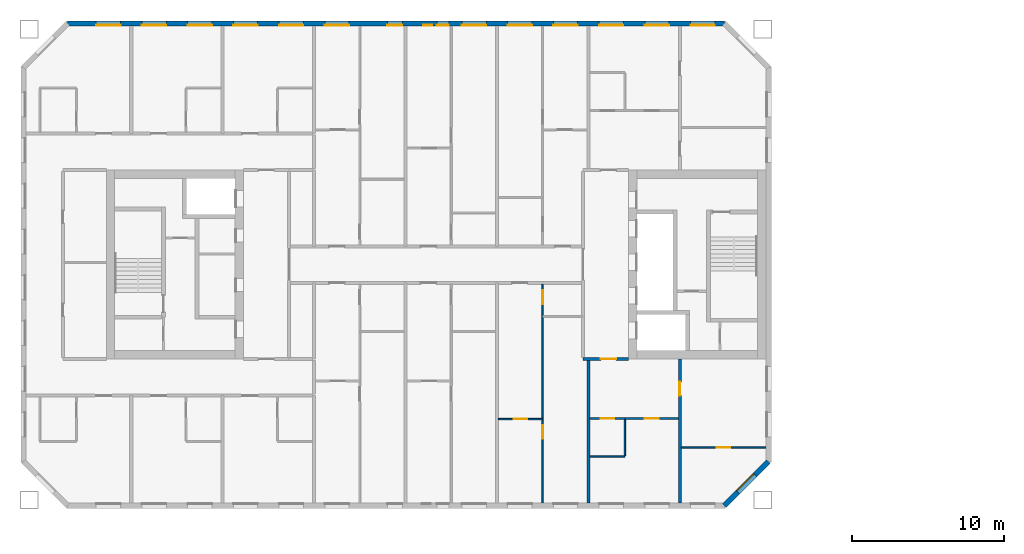
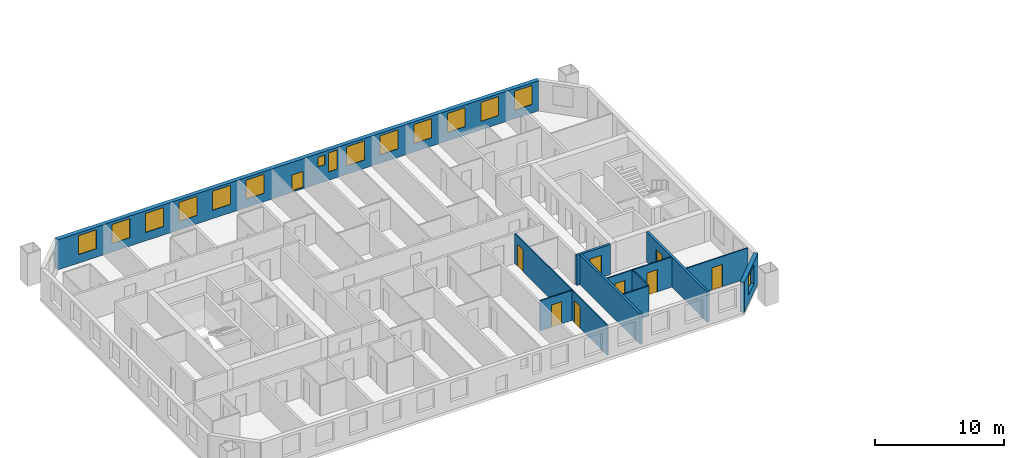
# One storey, part 6 of 16: 16 windows, 11 walls, 8 doors, 24 openings.
"""IFC4 building model written with IfcOpenShell, lengths in metres."""

from ifc_helpers import new_model, si_unit, direction, frame, frame_2d, origin, place, context, subcontext, project, spatial, rectangle, extrude, material, layer, layer_set, type_object, element, fill, save


model = new_model("IFC4")

# Units and contexts
model_context = context("Model", 3, precision=1e-05, world=origin(), true_north=direction((0.0, 1.0)))
body_context = subcontext(model_context, "Body", "Model", "MODEL_VIEW")
ifc_project = project(units=[si_unit("LENGTHUNIT", "METRE"), si_unit("AREAUNIT", "SQUARE_METRE"), si_unit("VOLUMEUNIT", "CUBIC_METRE"), si_unit("PLANEANGLEUNIT", "RADIAN"), si_unit("MASSUNIT", "GRAM", prefix="KILO")], contexts=[model_context])

# Site, building, storey
site_placement = place(None, origin())
site = spatial("IfcSite", under=ifc_project, at=site_placement, CompositionType="ELEMENT")
building_placement = place(site_placement, origin())
building = spatial("IfcBuilding", under=site, at=building_placement, Name="Tuart Gate Housing", CompositionType="ELEMENT")
storey_placement = place(building_placement, frame((0.0, 0.0, 139.199951171875)))
storey = spatial("IfcBuildingStorey", under=building, at=storey_placement, Name="L39", CompositionType="ELEMENT", Elevation=139.199951171875)

# Wall, opening, window
ifc_material_1 = material(Name="Brick", Category="masonry")
ifc_layer_1 = layer(ifc_material_1, 0.360107421875)
ifc_layer_set_1 = layer_set([ifc_layer_1], Name="Brick pier and spandrel wall 360")
wall_type_1 = type_object("IfcWallType", Name="Brick pier and spandrel wall 360", PredefinedType="STANDARD", material=ifc_layer_set_1)
wall_1_placement = place(storey_placement, frame((72.92529296875, 54.179931640625, 0.0), z_axis=(0.0, 0.0, 1.0), x_axis=(0.707106781187, 0.707106781187, 0.0)))
wall_1 = element("IfcWall", 1, at=wall_1_placement, inside=storey, type_object=wall_type_1, Name="External wall A-SE L39", PredefinedType="STANDARD", context=body_context, shape_type="SweptSolid", body=[
    extrude(rectangle(XDim=4.09375, YDim=0.360107421875, at=frame_2d((2.046875, 0.0))), origin(), (0.0, 0.0, 1.0), 2.85009765625),
])
opening_1_placement = place(wall_1_placement, frame((1.2470703125, 0.0, 0.800048828125)))
opening_1 = element("IfcOpeningElement", 2, at=opening_1_placement, cuts=wall_1, Name="Opening W1", PredefinedType="OPENING", context=body_context, shape_type="SweptSolid", body=[
    extrude(rectangle(XDim=1.60009765625, YDim=1.800048828125, at=frame_2d((0.800048828125, 0.89990234375))), frame((0.0, 0.18994140625, 0.0), z_axis=(0.0, -1.0, 0.0), x_axis=(1.0, 0.0, 0.0)), (0.0, 0.0, 1.0), 0.380126953125),
])
ifc_material_2 = material(Name="Aluminium frame with clear glass", Category="aluminium")
window_type_1 = type_object("IfcWindowType", Name="Punched window 1600 x 1800", PartitioningType="SINGLE_PANEL", PredefinedType="WINDOW", material=ifc_material_2)
window_1_placement = place(opening_1_placement, origin())
window_1 = element("IfcWindow", 3, at=window_1_placement, inside=storey, type_object=window_type_1, Name="Window W1", OverallHeight=1.800048828125, OverallWidth=1.60009765625, PartitioningType="SINGLE_PANEL", PredefinedType="WINDOW", context=body_context, shape_type="SweptSolid", body=[
    extrude(rectangle(XDim=1.60009765625, YDim=1.800048828125, at=frame_2d((0.800048828125, 0.89990234375))), frame((0.0, 0.150146484375, 0.0), z_axis=(0.0, -1.0, 0.0), x_axis=(1.0, 0.0, 0.0)), (0.0, 0.0, 1.0), 0.06005859375),
])
fill(opening_1, window_1)

# Wall, openings, windows
wall_2_placement = place(storey_placement, frame((72.92529296875, 85.820068359375, 0.0), z_axis=(0.0, 0.0, 1.0), x_axis=(-1.0, 0.0, 0.0)))
wall_2 = element("IfcWall", 4, at=wall_2_placement, inside=storey, type_object=wall_type_1, Name="External wall A-N L39", PredefinedType="STANDARD", context=body_context, shape_type="SweptSolid", body=[
    extrude(rectangle(XDim=43.100830078125, YDim=0.360107421875, at=frame_2d((21.55029296875, 0.0))), origin(), (0.0, 0.0, 1.0), 2.85009765625),
])
opening_2_placement = place(wall_2_placement, frame((0.62548828125, 0.0, 0.800048828125)))
opening_2 = element("IfcOpeningElement", 5, at=opening_2_placement, cuts=wall_2, Name="Opening W1", PredefinedType="OPENING", context=body_context, shape_type="SweptSolid", body=[
    extrude(rectangle(XDim=1.60009765625, YDim=1.800048828125, at=frame_2d((0.800048828125, 0.89990234375))), frame((0.0, 0.18994140625, 0.0), z_axis=(0.0, -1.0, 0.0), x_axis=(1.0, 0.0, 0.0)), (0.0, 0.0, 1.0), 0.380126953125),
])
opening_3_placement = place(wall_2_placement, frame((3.62548828125, 0.0, 0.800048828125)))
opening_3 = element("IfcOpeningElement", 6, at=opening_3_placement, cuts=wall_2, Name="Opening W1", PredefinedType="OPENING", context=body_context, shape_type="SweptSolid", body=[
    extrude(rectangle(XDim=1.60009765625, YDim=1.800048828125, at=frame_2d((0.800048828125, 0.89990234375))), frame((0.0, 0.18994140625, 0.0), z_axis=(0.0, -1.0, 0.0), x_axis=(1.0, 0.0, 0.0)), (0.0, 0.0, 1.0), 0.380126953125),
])
opening_4_placement = place(wall_2_placement, frame((6.62548828125, 0.0, 0.800048828125)))
opening_4 = element("IfcOpeningElement", 7, at=opening_4_placement, cuts=wall_2, Name="Opening W1", PredefinedType="OPENING", context=body_context, shape_type="SweptSolid", body=[
    extrude(rectangle(XDim=1.60009765625, YDim=1.800048828125, at=frame_2d((0.800048828125, 0.89990234375))), frame((0.0, 0.18994140625, 0.0), z_axis=(0.0, -1.0, 0.0), x_axis=(1.0, 0.0, 0.0)), (0.0, 0.0, 1.0), 0.380126953125),
])
opening_5_placement = place(wall_2_placement, frame((9.62548828125, 0.0, 0.800048828125)))
opening_5 = element("IfcOpeningElement", 8, at=opening_5_placement, cuts=wall_2, Name="Opening W1", PredefinedType="OPENING", context=body_context, shape_type="SweptSolid", body=[
    extrude(rectangle(XDim=1.60009765625, YDim=1.800048828125, at=frame_2d((0.800048828125, 0.89990234375))), frame((0.0, 0.18994140625, 0.0), z_axis=(0.0, -1.0, 0.0), x_axis=(1.0, 0.0, 0.0)), (0.0, 0.0, 1.0), 0.380126953125),
])
opening_6_placement = place(wall_2_placement, frame((12.62548828125, 0.0, 0.800048828125)))
opening_6 = element("IfcOpeningElement", 9, at=opening_6_placement, cuts=wall_2, Name="Opening W1", PredefinedType="OPENING", context=body_context, shape_type="SweptSolid", body=[
    extrude(rectangle(XDim=1.60009765625, YDim=1.800048828125, at=frame_2d((0.800048828125, 0.89990234375))), frame((0.0, 0.18994140625, 0.0), z_axis=(0.0, -1.0, 0.0), x_axis=(1.0, 0.0, 0.0)), (0.0, 0.0, 1.0), 0.380126953125),
])
opening_7_placement = place(wall_2_placement, frame((15.62548828125, 0.0, 0.800048828125)))
opening_7 = element("IfcOpeningElement", 10, at=opening_7_placement, cuts=wall_2, Name="Opening W1", PredefinedType="OPENING", context=body_context, shape_type="SweptSolid", body=[
    extrude(rectangle(XDim=1.60009765625, YDim=1.800048828125, at=frame_2d((0.800048828125, 0.89990234375))), frame((0.0, 0.18994140625, 0.0), z_axis=(0.0, -1.0, 0.0), x_axis=(1.0, 0.0, 0.0)), (0.0, 0.0, 1.0), 0.380126953125),
])
opening_8_placement = place(wall_2_placement, frame((18.075439453125, 0.0, 0.800048828125)))
opening_8 = element("IfcOpeningElement", 11, at=opening_8_placement, cuts=wall_2, Name="Opening W1D", PredefinedType="OPENING", context=body_context, shape_type="SweptSolid", body=[
    extrude(rectangle(XDim=0.800048828125, YDim=1.800048828125, at=frame_2d((0.39990234375, 0.89990234375))), frame((0.0, 0.18994140625, 0.0), z_axis=(0.0, -1.0, 0.0), x_axis=(1.0, 0.0, 0.0)), (0.0, 0.0, 1.0), 0.380126953125),
])
opening_9_placement = place(wall_2_placement, frame((21.12548828125, 0.0, 0.14990234375)))
opening_9 = element("IfcOpeningElement", 12, at=opening_9_placement, cuts=wall_2, Name="Opening W1I", PredefinedType="OPENING", context=body_context, shape_type="SweptSolid", body=[
    extrude(rectangle(XDim=1.0, YDim=1.5, at=frame_2d((0.5, 0.75))), frame((0.0, 0.18994140625, 0.0), z_axis=(0.0, -1.0, 0.0), x_axis=(1.0, 0.0, 0.0)), (0.0, 0.0, 1.0), 0.380126953125),
])
opening_10_placement = place(wall_2_placement, frame((24.62548828125, 0.0, 0.800048828125)))
opening_10 = element("IfcOpeningElement", 13, at=opening_10_placement, cuts=wall_2, Name="Opening W1", PredefinedType="OPENING", context=body_context, shape_type="SweptSolid", body=[
    extrude(rectangle(XDim=1.60009765625, YDim=1.800048828125, at=frame_2d((0.800048828125, 0.89990234375))), frame((0.0, 0.18994140625, 0.0), z_axis=(0.0, -1.0, 0.0), x_axis=(1.0, 0.0, 0.0)), (0.0, 0.0, 1.0), 0.380126953125),
])
opening_11_placement = place(wall_2_placement, frame((27.62548828125, 0.0, 0.800048828125)))
opening_11 = element("IfcOpeningElement", 14, at=opening_11_placement, cuts=wall_2, Name="Opening W1", PredefinedType="OPENING", context=body_context, shape_type="SweptSolid", body=[
    extrude(rectangle(XDim=1.60009765625, YDim=1.800048828125, at=frame_2d((0.800048828125, 0.89990234375))), frame((0.0, 0.18994140625, 0.0), z_axis=(0.0, -1.0, 0.0), x_axis=(1.0, 0.0, 0.0)), (0.0, 0.0, 1.0), 0.380126953125),
])
opening_12_placement = place(wall_2_placement, frame((30.62548828125, 0.0, 0.800048828125)))
opening_12 = element("IfcOpeningElement", 15, at=opening_12_placement, cuts=wall_2, Name="Opening W1", PredefinedType="OPENING", context=body_context, shape_type="SweptSolid", body=[
    extrude(rectangle(XDim=1.60009765625, YDim=1.800048828125, at=frame_2d((0.800048828125, 0.89990234375))), frame((0.0, 0.18994140625, 0.0), z_axis=(0.0, -1.0, 0.0), x_axis=(1.0, 0.0, 0.0)), (0.0, 0.0, 1.0), 0.380126953125),
])
opening_13_placement = place(wall_2_placement, frame((33.62548828125, 0.0, 0.800048828125)))
opening_13 = element("IfcOpeningElement", 16, at=opening_13_placement, cuts=wall_2, Name="Opening W1", PredefinedType="OPENING", context=body_context, shape_type="SweptSolid", body=[
    extrude(rectangle(XDim=1.60009765625, YDim=1.800048828125, at=frame_2d((0.800048828125, 0.89990234375))), frame((0.0, 0.18994140625, 0.0), z_axis=(0.0, -1.0, 0.0), x_axis=(1.0, 0.0, 0.0)), (0.0, 0.0, 1.0), 0.380126953125),
])
opening_14_placement = place(wall_2_placement, frame((36.62548828125, 0.0, 0.800048828125)))
opening_14 = element("IfcOpeningElement", 17, at=opening_14_placement, cuts=wall_2, Name="Opening W1", PredefinedType="OPENING", context=body_context, shape_type="SweptSolid", body=[
    extrude(rectangle(XDim=1.60009765625, YDim=1.800048828125, at=frame_2d((0.800048828125, 0.89990234375))), frame((0.0, 0.18994140625, 0.0), z_axis=(0.0, -1.0, 0.0), x_axis=(1.0, 0.0, 0.0)), (0.0, 0.0, 1.0), 0.380126953125),
])
opening_15_placement = place(wall_2_placement, frame((39.62548828125, 0.0, 0.800048828125)))
opening_15 = element("IfcOpeningElement", 18, at=opening_15_placement, cuts=wall_2, Name="Opening W1", PredefinedType="OPENING", context=body_context, shape_type="SweptSolid", body=[
    extrude(rectangle(XDim=1.60009765625, YDim=1.800048828125, at=frame_2d((0.800048828125, 0.89990234375))), frame((0.0, 0.18994140625, 0.0), z_axis=(0.0, -1.0, 0.0), x_axis=(1.0, 0.0, 0.0)), (0.0, 0.0, 1.0), 0.380126953125),
])
opening_16_placement = place(wall_2_placement, frame((19.17529296875, 0.0, 1.60009765625)))
opening_16 = element("IfcOpeningElement", 19, at=opening_16_placement, cuts=wall_2, Name="Opening W1W", PredefinedType="OPENING", context=body_context, shape_type="SweptSolid", body=[
    extrude(rectangle(XDim=0.60009765625, YDim=0.89990234375, at=frame_2d((0.300048828125, 0.449951171875))), frame((0.0, 0.18994140625, 0.0), z_axis=(0.0, -1.0, 0.0), x_axis=(1.0, 0.0, 0.0)), (0.0, 0.0, 1.0), 0.380126953125),
])
ifc_material_3 = material(Name="Aluminium frame with clear glass", Category="aluminium")
window_type_2 = type_object("IfcWindowType", Name="Punched window 1000 x 1500", PartitioningType="SINGLE_PANEL", PredefinedType="WINDOW", material=ifc_material_3)
window_2_placement = place(opening_9_placement, origin())
window_2 = element("IfcWindow", 20, at=window_2_placement, inside=storey, type_object=window_type_2, Name="Window W1I", OverallHeight=1.5, OverallWidth=1.0, PartitioningType="SINGLE_PANEL", PredefinedType="WINDOW", context=body_context, shape_type="SweptSolid", body=[
    extrude(rectangle(XDim=1.0, YDim=1.5, at=frame_2d((0.5, 0.75))), frame((0.0, 0.150146484375, 0.0), z_axis=(0.0, -1.0, 0.0), x_axis=(1.0, 0.0, 0.0)), (0.0, 0.0, 1.0), 0.06005859375),
])
fill(opening_9, window_2)
window_3_placement = place(opening_2_placement, origin())
window_3 = element("IfcWindow", 21, at=window_3_placement, inside=storey, type_object=window_type_1, Name="Window W1", OverallHeight=1.800048828125, OverallWidth=1.60009765625, PartitioningType="SINGLE_PANEL", PredefinedType="WINDOW", context=body_context, shape_type="SweptSolid", body=[
    extrude(rectangle(XDim=1.60009765625, YDim=1.800048828125, at=frame_2d((0.800048828125, 0.89990234375))), frame((0.0, 0.150146484375, 0.0), z_axis=(0.0, -1.0, 0.0), x_axis=(1.0, 0.0, 0.0)), (0.0, 0.0, 1.0), 0.06005859375),
])
fill(opening_2, window_3)
window_4_placement = place(opening_3_placement, origin())
window_4 = element("IfcWindow", 22, at=window_4_placement, inside=storey, type_object=window_type_1, Name="Window W1", OverallHeight=1.800048828125, OverallWidth=1.60009765625, PartitioningType="SINGLE_PANEL", PredefinedType="WINDOW", context=body_context, shape_type="SweptSolid", body=[
    extrude(rectangle(XDim=1.60009765625, YDim=1.800048828125, at=frame_2d((0.800048828125, 0.89990234375))), frame((0.0, 0.150146484375, 0.0), z_axis=(0.0, -1.0, 0.0), x_axis=(1.0, 0.0, 0.0)), (0.0, 0.0, 1.0), 0.06005859375),
])
fill(opening_3, window_4)
window_5_placement = place(opening_4_placement, origin())
window_5 = element("IfcWindow", 23, at=window_5_placement, inside=storey, type_object=window_type_1, Name="Window W1", OverallHeight=1.800048828125, OverallWidth=1.60009765625, PartitioningType="SINGLE_PANEL", PredefinedType="WINDOW", context=body_context, shape_type="SweptSolid", body=[
    extrude(rectangle(XDim=1.60009765625, YDim=1.800048828125, at=frame_2d((0.800048828125, 0.89990234375))), frame((0.0, 0.150146484375, 0.0), z_axis=(0.0, -1.0, 0.0), x_axis=(1.0, 0.0, 0.0)), (0.0, 0.0, 1.0), 0.06005859375),
])
fill(opening_4, window_5)
window_6_placement = place(opening_5_placement, origin())
window_6 = element("IfcWindow", 24, at=window_6_placement, inside=storey, type_object=window_type_1, Name="Window W1", OverallHeight=1.800048828125, OverallWidth=1.60009765625, PartitioningType="SINGLE_PANEL", PredefinedType="WINDOW", context=body_context, shape_type="SweptSolid", body=[
    extrude(rectangle(XDim=1.60009765625, YDim=1.800048828125, at=frame_2d((0.800048828125, 0.89990234375))), frame((0.0, 0.150146484375, 0.0), z_axis=(0.0, -1.0, 0.0), x_axis=(1.0, 0.0, 0.0)), (0.0, 0.0, 1.0), 0.06005859375),
])
fill(opening_5, window_6)
window_7_placement = place(opening_6_placement, origin())
window_7 = element("IfcWindow", 25, at=window_7_placement, inside=storey, type_object=window_type_1, Name="Window W1", OverallHeight=1.800048828125, OverallWidth=1.60009765625, PartitioningType="SINGLE_PANEL", PredefinedType="WINDOW", context=body_context, shape_type="SweptSolid", body=[
    extrude(rectangle(XDim=1.60009765625, YDim=1.800048828125, at=frame_2d((0.800048828125, 0.89990234375))), frame((0.0, 0.150146484375, 0.0), z_axis=(0.0, -1.0, 0.0), x_axis=(1.0, 0.0, 0.0)), (0.0, 0.0, 1.0), 0.06005859375),
])
fill(opening_6, window_7)
window_8_placement = place(opening_7_placement, origin())
window_8 = element("IfcWindow", 26, at=window_8_placement, inside=storey, type_object=window_type_1, Name="Window W1", OverallHeight=1.800048828125, OverallWidth=1.60009765625, PartitioningType="SINGLE_PANEL", PredefinedType="WINDOW", context=body_context, shape_type="SweptSolid", body=[
    extrude(rectangle(XDim=1.60009765625, YDim=1.800048828125, at=frame_2d((0.800048828125, 0.89990234375))), frame((0.0, 0.150146484375, 0.0), z_axis=(0.0, -1.0, 0.0), x_axis=(1.0, 0.0, 0.0)), (0.0, 0.0, 1.0), 0.06005859375),
])
fill(opening_7, window_8)
window_9_placement = place(opening_10_placement, origin())
window_9 = element("IfcWindow", 27, at=window_9_placement, inside=storey, type_object=window_type_1, Name="Window W1", OverallHeight=1.800048828125, OverallWidth=1.60009765625, PartitioningType="SINGLE_PANEL", PredefinedType="WINDOW", context=body_context, shape_type="SweptSolid", body=[
    extrude(rectangle(XDim=1.60009765625, YDim=1.800048828125, at=frame_2d((0.800048828125, 0.89990234375))), frame((0.0, 0.150146484375, 0.0), z_axis=(0.0, -1.0, 0.0), x_axis=(1.0, 0.0, 0.0)), (0.0, 0.0, 1.0), 0.06005859375),
])
fill(opening_10, window_9)
window_10_placement = place(opening_11_placement, origin())
window_10 = element("IfcWindow", 28, at=window_10_placement, inside=storey, type_object=window_type_1, Name="Window W1", OverallHeight=1.800048828125, OverallWidth=1.60009765625, PartitioningType="SINGLE_PANEL", PredefinedType="WINDOW", context=body_context, shape_type="SweptSolid", body=[
    extrude(rectangle(XDim=1.60009765625, YDim=1.800048828125, at=frame_2d((0.800048828125, 0.89990234375))), frame((0.0, 0.150146484375, 0.0), z_axis=(0.0, -1.0, 0.0), x_axis=(1.0, 0.0, 0.0)), (0.0, 0.0, 1.0), 0.06005859375),
])
fill(opening_11, window_10)
window_11_placement = place(opening_12_placement, origin())
window_11 = element("IfcWindow", 29, at=window_11_placement, inside=storey, type_object=window_type_1, Name="Window W1", OverallHeight=1.800048828125, OverallWidth=1.60009765625, PartitioningType="SINGLE_PANEL", PredefinedType="WINDOW", context=body_context, shape_type="SweptSolid", body=[
    extrude(rectangle(XDim=1.60009765625, YDim=1.800048828125, at=frame_2d((0.800048828125, 0.89990234375))), frame((0.0, 0.150146484375, 0.0), z_axis=(0.0, -1.0, 0.0), x_axis=(1.0, 0.0, 0.0)), (0.0, 0.0, 1.0), 0.06005859375),
])
fill(opening_12, window_11)
window_12_placement = place(opening_13_placement, origin())
window_12 = element("IfcWindow", 30, at=window_12_placement, inside=storey, type_object=window_type_1, Name="Window W1", OverallHeight=1.800048828125, OverallWidth=1.60009765625, PartitioningType="SINGLE_PANEL", PredefinedType="WINDOW", context=body_context, shape_type="SweptSolid", body=[
    extrude(rectangle(XDim=1.60009765625, YDim=1.800048828125, at=frame_2d((0.800048828125, 0.89990234375))), frame((0.0, 0.150146484375, 0.0), z_axis=(0.0, -1.0, 0.0), x_axis=(1.0, 0.0, 0.0)), (0.0, 0.0, 1.0), 0.06005859375),
])
fill(opening_13, window_12)
window_13_placement = place(opening_14_placement, origin())
window_13 = element("IfcWindow", 31, at=window_13_placement, inside=storey, type_object=window_type_1, Name="Window W1", OverallHeight=1.800048828125, OverallWidth=1.60009765625, PartitioningType="SINGLE_PANEL", PredefinedType="WINDOW", context=body_context, shape_type="SweptSolid", body=[
    extrude(rectangle(XDim=1.60009765625, YDim=1.800048828125, at=frame_2d((0.800048828125, 0.89990234375))), frame((0.0, 0.150146484375, 0.0), z_axis=(0.0, -1.0, 0.0), x_axis=(1.0, 0.0, 0.0)), (0.0, 0.0, 1.0), 0.06005859375),
])
fill(opening_14, window_13)
window_14_placement = place(opening_15_placement, origin())
window_14 = element("IfcWindow", 32, at=window_14_placement, inside=storey, type_object=window_type_1, Name="Window W1", OverallHeight=1.800048828125, OverallWidth=1.60009765625, PartitioningType="SINGLE_PANEL", PredefinedType="WINDOW", context=body_context, shape_type="SweptSolid", body=[
    extrude(rectangle(XDim=1.60009765625, YDim=1.800048828125, at=frame_2d((0.800048828125, 0.89990234375))), frame((0.0, 0.150146484375, 0.0), z_axis=(0.0, -1.0, 0.0), x_axis=(1.0, 0.0, 0.0)), (0.0, 0.0, 1.0), 0.06005859375),
])
fill(opening_15, window_14)
ifc_material_4 = material(Name="Aluminium frame with clear glass", Category="aluminium")
window_type_3 = type_object("IfcWindowType", Name="Punched window 600 x 900", PartitioningType="SINGLE_PANEL", PredefinedType="WINDOW", material=ifc_material_4)
window_15_placement = place(opening_16_placement, origin())
window_15 = element("IfcWindow", 33, at=window_15_placement, inside=storey, type_object=window_type_3, Name="Window W1W", OverallHeight=0.89990234375, OverallWidth=0.60009765625, PartitioningType="SINGLE_PANEL", PredefinedType="WINDOW", context=body_context, shape_type="SweptSolid", body=[
    extrude(rectangle(XDim=0.60009765625, YDim=0.89990234375, at=frame_2d((0.300048828125, 0.449951171875))), frame((0.0, 0.150146484375, 0.0), z_axis=(0.0, -1.0, 0.0), x_axis=(1.0, 0.0, 0.0)), (0.0, 0.0, 1.0), 0.06005859375),
])
fill(opening_16, window_15)
ifc_material_5 = material(Name="Aluminium frame with clear glass", Category="aluminium")
window_type_4 = type_object("IfcWindowType", Name="Punched window 800 x 1800", PartitioningType="SINGLE_PANEL", PredefinedType="WINDOW", material=ifc_material_5)
window_16_placement = place(opening_8_placement, origin())
window_16 = element("IfcWindow", 34, at=window_16_placement, inside=storey, type_object=window_type_4, Name="Window W1D", OverallHeight=1.800048828125, OverallWidth=0.800048828125, PartitioningType="SINGLE_PANEL", PredefinedType="WINDOW", context=body_context, shape_type="SweptSolid", body=[
    extrude(rectangle(XDim=0.800048828125, YDim=1.800048828125, at=frame_2d((0.39990234375, 0.89990234375))), frame((0.0, 0.150146484375, 0.0), z_axis=(0.0, -1.0, 0.0), x_axis=(1.0, 0.0, 0.0)), (0.0, 0.0, 1.0), 0.06005859375),
])
fill(opening_8, window_16)

# Wall, opening, door
ifc_material_6 = material(Name="Concrete masonry 15 MPa", Category="masonry")
ifc_layer_2 = layer(ifc_material_6, 0.199951171875)
ifc_layer_set_2 = layer_set([ifc_layer_2], Name="Enclosure wall masonry 200")
wall_type_2 = type_object("IfcWallType", Name="Enclosure wall masonry 200", PredefinedType="PARTITIONING", material=ifc_layer_set_2)
wall_3_placement = place(storey_placement, frame((63.639892578125, 63.800048828125, 0.0), z_axis=(0.0, 0.0, 1.0), x_axis=(1.0, 0.0, 0.0)))
wall_3 = element("IfcWall", 35, at=wall_3_placement, inside=storey, type_object=wall_type_2, Name="Enclosure wall masonry 200", PredefinedType="PARTITIONING", context=body_context, shape_type="SweptSolid", body=[
    extrude(rectangle(XDim=3.0, YDim=0.199951171875, at=frame_2d((1.5, 0.0))), origin(), (0.0, 0.0, 1.0), 2.85009765625),
])
opening_17_placement = place(wall_3_placement, frame((1.179931640625, 0.0, 0.0)))
opening_17 = element("IfcOpeningElement", 36, at=opening_17_placement, cuts=wall_3, Name="Opening D1444", PredefinedType="OPENING", context=body_context, shape_type="SweptSolid", body=[
    extrude(rectangle(XDim=1.0, YDim=2.10009765625, at=frame_2d((0.5, 1.050048828125))), frame((0.0, 0.10986328125, 0.0), z_axis=(0.0, -1.0, 0.0), x_axis=(1.0, 0.0, 0.0)), (0.0, 0.0, 1.0), 0.219970703125),
])
ifc_material_7 = material(Name="Timber door leaf in steel frame", Category="steel")
door_type_1 = type_object("IfcDoorType", Name="Flat entrance door 1000 RH", OperationType="SINGLE_SWING_RIGHT", PredefinedType="DOOR", material=ifc_material_7)
door_1_placement = place(opening_17_placement, frame((1.0, 0.0, 0.0), z_axis=(0.0, 0.0, 1.0), x_axis=(-1.0, 0.0, 0.0)))
door_1 = element("IfcDoor", 37, at=door_1_placement, inside=storey, type_object=door_type_1, Name="Flat entrance door", OperationType="SINGLE_SWING_RIGHT", OverallHeight=2.10009765625, OverallWidth=1.0, PredefinedType="DOOR", context=body_context, shape_type="SweptSolid", body=[
    extrude(rectangle(XDim=1.0, YDim=2.10009765625, at=frame_2d((0.5, 1.050048828125))), frame((0.0, 0.025146484375, 0.0), z_axis=(0.0, -1.0, 0.0), x_axis=(1.0, 0.0, 0.0)), (0.0, 0.0, 1.0), 0.050048828125),
])
fill(opening_17, door_1)

# Wall
ifc_material_8 = material(Name="Gypsum board on steel studs", Category="steel")
ifc_layer_3 = layer(ifc_material_8, 0.10009765625)
ifc_layer_set_3 = layer_set([ifc_layer_3], Name="Partition 100")
wall_type_3 = type_object("IfcWallType", Name="Partition 100", PredefinedType="PARTITIONING", material=ifc_layer_set_3)
wall_4_placement = place(storey_placement, frame((64.10009765625, 57.39990234375, 0.0), z_axis=(0.0, 0.0, 1.0), x_axis=(1.0, 0.0, 0.0)))
element("IfcWall", 38, at=wall_4_placement, inside=storey, type_object=wall_type_3, Name="Partition 100", PredefinedType="PARTITIONING", context=body_context, shape_type="SweptSolid", body=[
    extrude(rectangle(XDim=2.2998046875, YDim=0.10009765625, at=frame_2d((1.14990234375, 0.0))), origin(), (0.0, 0.0, 1.0), 2.85009765625),
])

# Wall, opening, door
wall_5_placement = place(storey_placement, frame((70.10009765625, 58.0, 0.0), z_axis=(0.0, 0.0, 1.0), x_axis=(1.0, 0.0, 0.0)))
wall_5 = element("IfcWall", 39, at=wall_5_placement, inside=storey, type_object=wall_type_3, Name="Partition 100", PredefinedType="PARTITIONING", context=body_context, shape_type="SweptSolid", body=[
    extrude(rectangle(XDim=5.539794921875, YDim=0.10009765625, at=frame_2d((2.77001953125, 0.0))), origin(), (0.0, 0.0, 1.0), 2.85009765625),
])
opening_18_placement = place(wall_5_placement, frame((2.320068359375, 0.0, 0.0)))
opening_18 = element("IfcOpeningElement", 40, at=opening_18_placement, cuts=wall_5, Name="Opening D1463", PredefinedType="OPENING", context=body_context, shape_type="SweptSolid", body=[
    extrude(rectangle(XDim=0.89990234375, YDim=2.10009765625, at=frame_2d((0.449951171875, 1.050048828125))), frame((0.0, 0.06005859375, 0.0), z_axis=(0.0, -1.0, 0.0), x_axis=(1.0, 0.0, 0.0)), (0.0, 0.0, 1.0), 0.1201171875),
])
ifc_material_9 = material(Name="Timber door leaf in steel frame", Category="steel")
door_type_2 = type_object("IfcDoorType", Name="Internal door 900", OperationType="SINGLE_SWING_LEFT", PredefinedType="DOOR", material=ifc_material_9)
door_2_placement = place(opening_18_placement, frame((0.89990234375, 0.0, 0.0), z_axis=(0.0, 0.0, 1.0), x_axis=(-1.0, 0.0, 0.0)))
door_2 = element("IfcDoor", 41, at=door_2_placement, inside=storey, type_object=door_type_2, Name="Internal door", OperationType="SINGLE_SWING_LEFT", OverallHeight=2.10009765625, OverallWidth=0.89990234375, PredefinedType="DOOR", context=body_context, shape_type="SweptSolid", body=[
    extrude(rectangle(XDim=0.89990234375, YDim=2.10009765625, at=frame_2d((0.449951171875, 1.050048828125))), frame((0.0, 0.025146484375, 0.0), z_axis=(0.0, -1.0, 0.0), x_axis=(1.0, 0.0, 0.0)), (0.0, 0.0, 1.0), 0.050048828125),
])
fill(opening_18, door_2)

wall_6_placement = place(storey_placement, frame((58.10009765625, 59.860107421875, 0.0), z_axis=(0.0, 0.0, 1.0), x_axis=(1.0, 0.0, 0.0)))
wall_6 = element("IfcWall", 42, at=wall_6_placement, inside=storey, type_object=wall_type_3, Name="Partition 100", PredefinedType="PARTITIONING", context=body_context, shape_type="SweptSolid", body=[
    extrude(rectangle(XDim=2.89990234375, YDim=0.10009765625, at=frame_2d((1.449951171875, 0.0))), origin(), (0.0, 0.0, 1.0), 2.85009765625),
])
opening_19_placement = place(wall_6_placement, frame((1.0, 0.0, 0.0)))
opening_19 = element("IfcOpeningElement", 43, at=opening_19_placement, cuts=wall_6, Name="Opening D1461", PredefinedType="OPENING", context=body_context, shape_type="SweptSolid", body=[
    extrude(rectangle(XDim=0.89990234375, YDim=2.10009765625, at=frame_2d((0.449951171875, 1.050048828125))), frame((0.0, 0.06005859375, 0.0), z_axis=(0.0, -1.0, 0.0), x_axis=(1.0, 0.0, 0.0)), (0.0, 0.0, 1.0), 0.1201171875),
])
ifc_material_10 = material(Name="Timber door leaf in steel frame", Category="steel")
door_type_3 = type_object("IfcDoorType", Name="Internal door 900 RH", OperationType="SINGLE_SWING_RIGHT", PredefinedType="DOOR", material=ifc_material_10)
door_3_placement = place(opening_19_placement, origin())
door_3 = element("IfcDoor", 44, at=door_3_placement, inside=storey, type_object=door_type_3, Name="Internal door", OperationType="SINGLE_SWING_RIGHT", OverallHeight=2.10009765625, OverallWidth=0.89990234375, PredefinedType="DOOR", context=body_context, shape_type="SweptSolid", body=[
    extrude(rectangle(XDim=0.89990234375, YDim=2.10009765625, at=frame_2d((0.449951171875, 1.050048828125))), frame((0.0, 0.02490234375, 0.0), z_axis=(0.0, -1.0, 0.0), x_axis=(1.0, 0.0, 0.0)), (0.0, 0.0, 1.0), 0.050048828125),
])
fill(opening_19, door_3)

# Wall, openings, doors
wall_7_placement = place(storey_placement, frame((64.10009765625, 59.89990234375, 0.0), z_axis=(0.0, 0.0, 1.0), x_axis=(1.0, 0.0, 0.0)))
wall_7 = element("IfcWall", 45, at=wall_7_placement, inside=storey, type_object=wall_type_3, Name="Partition 100", PredefinedType="PARTITIONING", context=body_context, shape_type="SweptSolid", body=[
    extrude(rectangle(XDim=5.7998046875, YDim=0.10009765625, at=frame_2d((2.89990234375, 0.0))), origin(), (0.0, 0.0, 1.0), 2.85009765625),
])
opening_20_placement = place(wall_7_placement, frame((3.60009765625, 0.0, 0.0)))
opening_20 = element("IfcOpeningElement", 46, at=opening_20_placement, cuts=wall_7, Name="Opening D1457", PredefinedType="OPENING", context=body_context, shape_type="SweptSolid", body=[
    extrude(rectangle(XDim=0.89990234375, YDim=2.10009765625, at=frame_2d((0.449951171875, 1.050048828125))), frame((0.0, 0.06005859375, 0.0), z_axis=(0.0, -1.0, 0.0), x_axis=(1.0, 0.0, 0.0)), (0.0, 0.0, 1.0), 0.1201171875),
])
opening_21_placement = place(wall_7_placement, frame((0.699951171875, 0.0, 0.0)))
opening_21 = element("IfcOpeningElement", 47, at=opening_21_placement, cuts=wall_7, Name="Opening D1456", PredefinedType="OPENING", context=body_context, shape_type="SweptSolid", body=[
    extrude(rectangle(XDim=0.89990234375, YDim=2.10009765625, at=frame_2d((0.449951171875, 1.050048828125))), frame((0.0, 0.06005859375, 0.0), z_axis=(0.0, -1.0, 0.0), x_axis=(1.0, 0.0, 0.0)), (0.0, 0.0, 1.0), 0.1201171875),
])
ifc_material_11 = material(Name="Timber door leaf in steel frame", Category="steel")
door_type_4 = type_object("IfcDoorType", Name="Bathroom door 900", OperationType="SINGLE_SWING_LEFT", PredefinedType="DOOR", material=ifc_material_11)
door_4_placement = place(opening_21_placement, frame((0.89990234375, 0.0, 0.0), z_axis=(0.0, 0.0, 1.0), x_axis=(-1.0, 0.0, 0.0)))
door_4 = element("IfcDoor", 48, at=door_4_placement, inside=storey, type_object=door_type_4, Name="Bathroom door", OperationType="SINGLE_SWING_LEFT", OverallHeight=2.10009765625, OverallWidth=0.89990234375, PredefinedType="DOOR", context=body_context, shape_type="SweptSolid", body=[
    extrude(rectangle(XDim=0.89990234375, YDim=2.10009765625, at=frame_2d((0.449951171875, 1.050048828125))), frame((0.0, 0.025146484375, 0.0), z_axis=(0.0, -1.0, 0.0), x_axis=(1.0, 0.0, 0.0)), (0.0, 0.0, 1.0), 0.050048828125),
])
fill(opening_21, door_4)
door_5_placement = place(opening_20_placement, frame((0.89990234375, 0.0, 0.0), z_axis=(0.0, 0.0, 1.0), x_axis=(-1.0, 0.0, 0.0)))
door_5 = element("IfcDoor", 49, at=door_5_placement, inside=storey, type_object=door_type_3, Name="Internal door", OperationType="SINGLE_SWING_RIGHT", OverallHeight=2.10009765625, OverallWidth=0.89990234375, PredefinedType="DOOR", context=body_context, shape_type="SweptSolid", body=[
    extrude(rectangle(XDim=0.89990234375, YDim=2.10009765625, at=frame_2d((0.449951171875, 1.050048828125))), frame((0.0, 0.025146484375, 0.0), z_axis=(0.0, -1.0, 0.0), x_axis=(1.0, 0.0, 0.0)), (0.0, 0.0, 1.0), 0.050048828125),
])
fill(opening_20, door_5)

wall_8_placement = place(storey_placement, frame((61.0, 54.360107421875, 0.0), z_axis=(0.0, 0.0, 1.0), x_axis=(0.0, 1.0, 0.0)))
wall_8 = element("IfcWall", 50, at=wall_8_placement, inside=storey, type_object=wall_type_3, Name="Partition 100", PredefinedType="PARTITIONING", context=body_context, shape_type="SweptSolid", body=[
    extrude(rectangle(XDim=14.33984375, YDim=0.10009765625, at=frame_2d((7.169921875, 0.0))), origin(), (0.0, 0.0, 1.0), 2.85009765625),
])
opening_22_placement = place(wall_8_placement, frame((4.199951171875, 0.0, 0.0)))
opening_22 = element("IfcOpeningElement", 51, at=opening_22_placement, cuts=wall_8, Name="Opening D1452", PredefinedType="OPENING", context=body_context, shape_type="SweptSolid", body=[
    extrude(rectangle(XDim=0.89990234375, YDim=2.10009765625, at=frame_2d((0.449951171875, 1.050048828125))), frame((0.0, 0.06005859375, 0.0), z_axis=(0.0, -1.0, 0.0), x_axis=(1.0, 0.0, 0.0)), (0.0, 0.0, 1.0), 0.1201171875),
])
opening_23_placement = place(wall_8_placement, frame((13.0400390625, 0.0, 0.0)))
opening_23 = element("IfcOpeningElement", 52, at=opening_23_placement, cuts=wall_8, Name="Opening D1451", PredefinedType="OPENING", context=body_context, shape_type="SweptSolid", body=[
    extrude(rectangle(XDim=0.89990234375, YDim=2.10009765625, at=frame_2d((0.449951171875, 1.050048828125))), frame((0.0, 0.06005859375, 0.0), z_axis=(0.0, -1.0, 0.0), x_axis=(1.0, 0.0, 0.0)), (0.0, 0.0, 1.0), 0.1201171875),
])
door_6_placement = place(opening_23_placement, frame((0.89990234375, 0.0, 0.0), z_axis=(0.0, 0.0, 1.0), x_axis=(-1.0, 0.0, 0.0)))
door_6 = element("IfcDoor", 53, at=door_6_placement, inside=storey, type_object=door_type_4, Name="Bathroom door", OperationType="SINGLE_SWING_LEFT", OverallHeight=2.10009765625, OverallWidth=0.89990234375, PredefinedType="DOOR", context=body_context, shape_type="SweptSolid", body=[
    extrude(rectangle(XDim=0.89990234375, YDim=2.10009765625, at=frame_2d((0.449951171875, 1.050048828125))), frame((0.0, 0.025146484375, 0.0), z_axis=(0.0, -1.0, 0.0), x_axis=(1.0, 0.0, 0.0)), (0.0, 0.0, 1.0), 0.050048828125),
])
fill(opening_23, door_6)
door_7_placement = place(opening_22_placement, frame((0.89990234375, 0.0, 0.0), z_axis=(0.0, 0.0, 1.0), x_axis=(-1.0, 0.0, 0.0)))
door_7 = element("IfcDoor", 54, at=door_7_placement, inside=storey, type_object=door_type_3, Name="Internal door", OperationType="SINGLE_SWING_RIGHT", OverallHeight=2.10009765625, OverallWidth=0.89990234375, PredefinedType="DOOR", context=body_context, shape_type="SweptSolid", body=[
    extrude(rectangle(XDim=0.89990234375, YDim=2.10009765625, at=frame_2d((0.449951171875, 1.050048828125))), frame((0.0, 0.025146484375, 0.0), z_axis=(0.0, -1.0, 0.0), x_axis=(1.0, 0.0, 0.0)), (0.0, 0.0, 1.0), 0.050048828125),
])
fill(opening_22, door_7)

# Walls
wall_9_placement = place(storey_placement, frame((66.39990234375, 57.449951171875, 0.0), z_axis=(0.0, 0.0, 1.0), x_axis=(0.0, 1.0, 0.0)))
element("IfcWall", 55, at=wall_9_placement, inside=storey, type_object=wall_type_3, Name="Partition 100", PredefinedType="PARTITIONING", context=body_context, shape_type="SweptSolid", body=[
    extrude(rectangle(XDim=2.400146484375, YDim=0.10009765625, at=frame_2d((1.2001953125, 0.0))), origin(), (0.0, 0.0, 1.0), 2.85009765625),
])
ifc_material_12 = material(Name="Concrete C40", Category="concrete")
ifc_layer_4 = layer(ifc_material_12, 0.199951171875)
ifc_layer_set_4 = layer_set([ifc_layer_4], Name="Party wall concrete C40 200")
wall_type_4 = type_object("IfcWallType", Name="Party wall concrete C40 200", PredefinedType="SOLIDWALL", material=ifc_layer_set_4)
wall_10_placement = place(storey_placement, frame((64.0, 54.360107421875, 0.0), z_axis=(0.0, 0.0, 1.0), x_axis=(0.0, 1.0, 0.0)))
element("IfcWall", 56, at=wall_10_placement, inside=storey, type_object=wall_type_4, Name="Party wall concrete C40 200", PredefinedType="SOLIDWALL", context=body_context, shape_type="SweptSolid", body=[
    extrude(rectangle(XDim=9.43994140625, YDim=0.199951171875, at=frame_2d((4.719970703125, 0.0))), origin(), (0.0, 0.0, 1.0), 2.85009765625),
])

# Wall, opening, door
wall_11_placement = place(storey_placement, frame((70.0, 54.360107421875, 0.0), z_axis=(0.0, 0.0, 1.0), x_axis=(0.0, 1.0, 0.0)))
wall_11 = element("IfcWall", 57, at=wall_11_placement, inside=storey, type_object=wall_type_4, Name="Party wall concrete C40 200", PredefinedType="SOLIDWALL", context=body_context, shape_type="SweptSolid", body=[
    extrude(rectangle(XDim=9.43994140625, YDim=0.199951171875, at=frame_2d((4.719970703125, 0.0))), origin(), (0.0, 0.0, 1.0), 2.85009765625),
])
opening_24_placement = place(wall_11_placement, frame((7.0400390625, 0.0, 0.0)))
opening_24 = element("IfcOpeningElement", 58, at=opening_24_placement, cuts=wall_11, Name="Opening D1462", PredefinedType="OPENING", context=body_context, shape_type="SweptSolid", body=[
    extrude(rectangle(XDim=0.89990234375, YDim=2.10009765625, at=frame_2d((0.449951171875, 1.050048828125))), frame((0.0, 0.10986328125, 0.0), z_axis=(0.0, -1.0, 0.0), x_axis=(1.0, 0.0, 0.0)), (0.0, 0.0, 1.0), 0.219970703125),
])
door_8_placement = place(opening_24_placement, origin())
door_8 = element("IfcDoor", 59, at=door_8_placement, inside=storey, type_object=door_type_2, Name="Internal door", OperationType="SINGLE_SWING_LEFT", OverallHeight=2.10009765625, OverallWidth=0.89990234375, PredefinedType="DOOR", context=body_context, shape_type="SweptSolid", body=[
    extrude(rectangle(XDim=0.89990234375, YDim=2.10009765625, at=frame_2d((0.449951171875, 1.050048828125))), frame((0.0, 0.02490234375, 0.0), z_axis=(0.0, -1.0, 0.0), x_axis=(1.0, 0.0, 0.0)), (0.0, 0.0, 1.0), 0.050048828125),
])
fill(opening_24, door_8)

save(model, "model.ifc")
